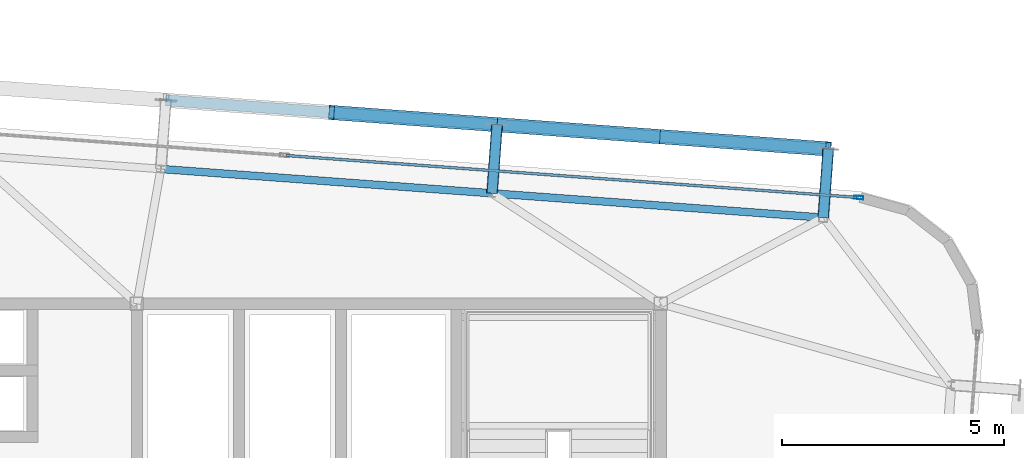
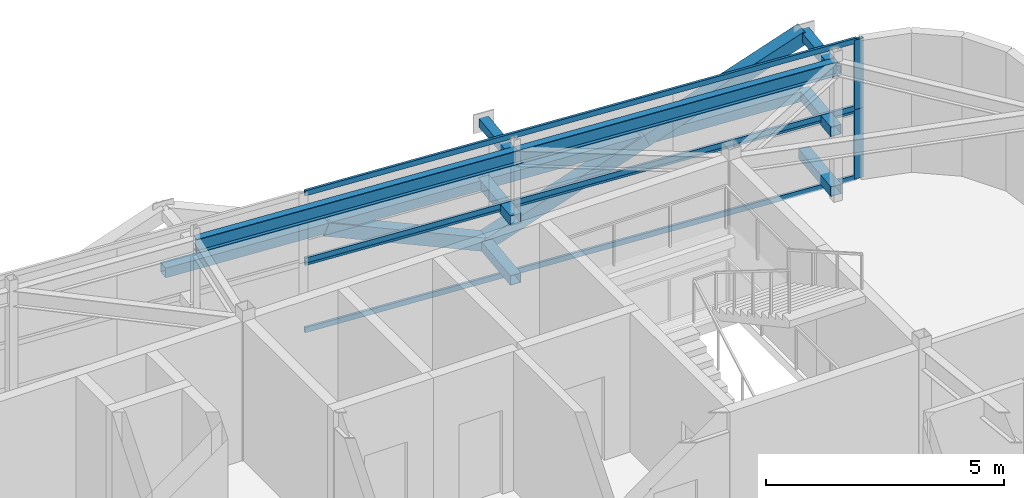
# One storey, part 22 of 35: 17 members, 2 beams, 2 elements without a shape of their own.
"""IFC4 building model written with IfcOpenShell, lengths in metres."""

from ifc_helpers import new_model, si_unit, direction, frame, origin, origin_2d, place, context, subcontext, project, spatial, hollow_rectangle, i_section, extrude, source, transform, mapped, material, layer, layer_set, material_profile, profile_set, type_object, element, aggregate, save


model = new_model("IFC4")

# Units and contexts
model_context = context("Model", 3, precision=1e-05, world=origin(), true_north=direction((0.0, 1.0)))
body_context = subcontext(model_context, "Body", "Model", "MODEL_VIEW")
ifc_project = project(units=[si_unit("LENGTHUNIT", "METRE"), si_unit("AREAUNIT", "SQUARE_METRE"), si_unit("VOLUMEUNIT", "CUBIC_METRE"), si_unit("PLANEANGLEUNIT", "RADIAN"), si_unit("MASSUNIT", "GRAM", prefix="KILO")], contexts=[model_context])

# Site, building, storey
site_placement = place(None, origin())
site = spatial("IfcSite", under=ifc_project, at=site_placement, CompositionType="ELEMENT")
building_placement = place(site_placement, origin())
building = spatial("IfcBuilding", under=site, at=building_placement, Name="Taldren Reach Tower", CompositionType="ELEMENT")
storey_placement = place(building_placement, frame((0.0, 0.0, 249.199951171875)))
storey = spatial("IfcBuildingStorey", under=building, at=storey_placement, Name="L76", CompositionType="ELEMENT", Elevation=249.199951171875)

# Members
ifc_material_1 = material(Name="Steel Gr 350 (C350L0)", Category="steel")
ifc_material_profile_1 = material_profile(ifc_material_1, hollow_rectangle(XDim=0.25, YDim=0.25, WallThickness=0.010009765625, at=origin_2d()), Name="250x250x10.0SHS")
ifc_profile_set_1 = profile_set([ifc_material_profile_1], Name="Steel Gr 350 (C350L0)")
member_type_1 = type_object("IfcMemberType", Name="MB-POST250", PredefinedType="POST", material=ifc_profile_set_1)
shared_shape_1 = source(origin(), body_context, "Body", "SweptSolid", [
    extrude(hollow_rectangle(XDim=0.25, YDim=0.25, WallThickness=0.010009765625, at=origin_2d()), origin(), (0.0, 0.0, 1.0), 1.550048828125),
])
for number, where, z_axis, x_axis, name in (
    (1, (47.199462890625, 34.487548828125, 0.219970703125), (0.07323929162, 0.997314396849, 0.0), (-0.997314396849, 0.07323929162, 0.0), "Exoskeleton base diaphragm tie strut B5-N5 L76"),
    (2, (54.659423828125, 33.939697265625, 0.219970703125), (0.07323929162, 0.997314396849, 0.0), (-0.997314396849, 0.07323929162, 0.0), "Exoskeleton base diaphragm tie strut B5-N6 L76"),
    (3, (47.199462890625, 34.487548828125, 1.755126953125), (0.07323929162, 0.997314396849, 0.0), (-0.997314396849, 0.07323929162, 0.0), "Exoskeleton mid-tier diaphragm tie B5-N5 L76"),
    (4, (54.659423828125, 33.939697265625, 1.755126953125), (0.07323929162, 0.997314396849, 0.0), (-0.997314396849, 0.07323929162, 0.0), "Exoskeleton mid-tier diaphragm tie B5-N6 L76"),
):
    element("IfcMember", number, at=place(storey_placement, frame(where, z_axis=z_axis, x_axis=x_axis)), inside=storey, type_object=member_type_1, Name=name, PredefinedType="POST", context=body_context, shape_type="MappedRepresentation", body=[
        mapped(shared_shape_1, transform((0.0, 0.0, 0.0), scale=1.0)),
    ])
ifc_material_2 = material(Name="Steel Gr 450 (C450L0)", Category="steel")
ifc_material_profile_2 = material_profile(ifc_material_2, hollow_rectangle(XDim=0.219970703125, YDim=0.219970703125, WallThickness=0.00830078125, at=origin_2d()), Name="220x220x8.2SHS")
ifc_profile_set_2 = profile_set([ifc_material_profile_2], Name="Steel Gr 450 (C450L0)")
member_type_2 = type_object("IfcMemberType", Name="MB-TIE219", PredefinedType="STRUT", material=ifc_profile_set_2)
shared_shape_2 = source(origin(), body_context, "Body", "SweptSolid", [
    extrude(hollow_rectangle(XDim=0.219970703125, YDim=0.219970703125, WallThickness=0.00830078125, at=origin_2d()), origin(), (0.0, 0.0, 1.0), 1.550048828125),
])
for number, where, z_axis, x_axis, name in (
    (5, (47.199462890625, 34.487548828125, 3.2900390625), (0.07323929162, 0.997314396849, 0.0), (-0.997314396849, 0.07323929162, 0.0), "Exoskeleton diaphragm tie strut B5-N5 L76"),
    (6, (54.659423828125, 33.939697265625, 3.2900390625), (0.07323929162, 0.997314396849, 0.0), (-0.997314396849, 0.07323929162, 0.0), "Exoskeleton diaphragm tie strut B5-N6 L76"),
):
    element("IfcMember", number, at=place(storey_placement, frame(where, z_axis=z_axis, x_axis=x_axis)), inside=storey, type_object=member_type_2, Name=name, PredefinedType="STRUT", context=body_context, shape_type="MappedRepresentation", body=[
        mapped(shared_shape_2, transform((0.0, 0.0, 0.0), scale=1.0)),
    ])

# Beams
ifc_material_3 = material(Name="Steel Gr 350 (350PLUS)", Category="steel")
ifc_material_profile_3 = material_profile(ifc_material_3, i_section(OverallWidth=0.172119140625, OverallDepth=0.35888671875, WebThickness=0.008056640625, FlangeThickness=0.012939453125, at=origin_2d()), Name="360UB56.7")
ifc_profile_set_3 = profile_set([ifc_material_profile_3], Name="Steel Gr 350 (350PLUS)")
beam_type = type_object("IfcBeamType", Name="SP-UB360", PredefinedType="SPANDREL", material=ifc_profile_set_3)
shared_shape_3 = source(origin(), body_context, "Body", "SweptSolid", [
    extrude(i_section(OverallWidth=0.172119140625, OverallDepth=0.35888671875, WebThickness=0.008056640625, FlangeThickness=0.012939453125, at=origin_2d()), origin(), (0.0, 0.0, 1.0), 7.47998046875),
])
for number, where, z_axis, x_axis, name in (
    (7, (54.659423828125, 33.939697265625, 3.390625), (-0.997314220642, 0.07324169103, 0.0), (-0.07324169103, -0.997314220642, 0.0), "Perimeter spandrel B5 N6-N5 L76"),
    (8, (47.199462890625, 34.487548828125, 3.390625), (-0.997314220642, 0.07324169103, 0.0), (-0.07324169103, -0.997314220642, 0.0), "Perimeter spandrel B5 N5-N4 L76"),
):
    element("IfcBeam", number, at=place(storey_placement, frame(where, z_axis=z_axis, x_axis=x_axis)), inside=storey, type_object=beam_type, Name=name, PredefinedType="SPANDREL", context=body_context, shape_type="MappedRepresentation", body=[
        mapped(shared_shape_3, transform((0.0, 0.0, 0.0), scale=1.0)),
    ])

# Members
shared_shape_4 = source(origin(), body_context, "Body", "SweptSolid", [
    extrude(hollow_rectangle(XDim=0.25, YDim=0.25, WallThickness=0.010009765625, at=origin_2d()), origin(), (0.0, 0.0, 1.0), 7.47998046875),
])
for number, where, z_axis, x_axis, name in (
    (9, (39.85302734375, 36.581298828125, 1.755126953125), (0.997314220642, -0.07324169103, 0.0), (0.07324169103, 0.997314220642, 0.0), "Exoskeleton mid-height ring chord B5-N4 L76"),
    (10, (47.31298828125, 36.033447265625, 1.755126953125), (0.997314220642, -0.07324169103, 0.0), (0.07324169103, 0.997314220642, 0.0), "Exoskeleton mid-height ring chord B5-N5 L76"),
):
    element("IfcMember", number, at=place(storey_placement, frame(where, z_axis=z_axis, x_axis=x_axis)), inside=storey, type_object=member_type_1, Name=name, PredefinedType="POST", context=body_context, shape_type="MappedRepresentation", body=[
        mapped(shared_shape_4, transform((0.0, 0.0, 0.0), scale=1.0)),
    ])
ifc_material_profile_4 = material_profile(ifc_material_2, hollow_rectangle(XDim=0.324951171875, YDim=0.324951171875, WallThickness=0.0126953125, at=origin_2d()), Name="325x325x12.7SHS")
ifc_profile_set_4 = profile_set([ifc_material_profile_4], Name="Steel Gr 450 (C450L0)")
member_type_3 = type_object("IfcMemberType", Name="MB-BR324", PredefinedType="BRACE", material=ifc_profile_set_4)
shared_shape_5 = source(origin(), body_context, "Body", "SweptSolid", [
    extrude(hollow_rectangle(XDim=0.324951171875, YDim=0.324951171875, WallThickness=0.0126953125, at=origin_2d()), origin(), (0.0, 0.0, 1.0), 4.042724609375),
])
for number, where, z_axis, x_axis, name in (
    (11, (47.31298828125, 36.033447265625, 0.219970703125), (-0.922615641565, 0.067755907176, 0.37972294503), (-0.07324169103, -0.997314220642, 0.0), "Exoskeleton Diagrid Brace B5-N4 L76"),
    (12, (47.31298828125, 36.033447265625, 0.219970703125), (0.922615641565, -0.067755907176, 0.37972294503), (0.07324169103, 0.997314220642, 0.0), "Exoskeleton Diagrid Brace B5-N5 L76"),
    (13, (51.04296875, 35.759521484375, 1.755126953125), (0.92263679702, -0.06775746081, 0.379671262133), (0.07324169103, 0.997314220642, 0.0), "Exoskeleton Diagrid Brace B5-N5 L76"),
):
    element("IfcMember", number, at=place(storey_placement, frame(where, z_axis=z_axis, x_axis=x_axis)), inside=storey, type_object=member_type_3, Name=name, PredefinedType="BRACE", context=body_context, shape_type="MappedRepresentation", body=[
        mapped(shared_shape_5, transform((0.0, 0.0, 0.0), scale=1.0)),
    ])

# Curtain wall, members
ifc_material_4 = material(Name="Aluminium and Low-E Glass Unitised System", Category="aluminium")
ifc_layer = layer(ifc_material_4, 0.159912109375)
ifc_layer_set = layer_set([ifc_layer], Name="Aluminium and Low-E Glass Unitised System")
curtain_wall_type = type_object("IfcCurtainWallType", Name="CW-SYS-6", PredefinedType="NOTDEFINED", material=ifc_layer_set)
curtain_wall_1_placement = place(storey_placement, origin())
curtain_wall_1 = element("IfcCurtainWall", 14, at=curtain_wall_1_placement, inside=storey, type_object=curtain_wall_type, Name="Unitised curtain wall CW-L76-N", PredefinedType="NOTDEFINED")
ifc_material_5 = material(Name="Anodised Aluminium 6063-T6", Category="aluminium")
ifc_material_profile_5 = material_profile(ifc_material_5, hollow_rectangle(XDim=0.06005859375, YDim=0.135009765625, WallThickness=0.00341796875, at=origin_2d()), Name="ALU-135x60x3.5RHS")
ifc_profile_set_5 = profile_set([ifc_material_profile_5], Name="Anodised Aluminium 6063-T6")
member_type_4 = type_object("IfcMemberType", Name="CW-TRN-150", PredefinedType="USERDEFINED", material=ifc_profile_set_5)
shared_shape_6 = source(origin(), body_context, "Body", "SweptSolid", [
    extrude(hollow_rectangle(XDim=0.06005859375, YDim=0.135009765625, WallThickness=0.00341796875, at=origin_2d()), origin(), (0.0, 0.0, 1.0), 12.887451171875),
])
member_1_placement = place(storey_placement, frame((55.419677734375, 34.395263671875, 0.030029296875), z_axis=(-0.997314487101, 0.07323806263, 0.0), x_axis=(-0.07323806263, -0.997314487101, 0.0)))
member_1 = element("IfcMember", 15, at=member_1_placement, type_object=member_type_4, Name="CW-6 transom 1.1", ObjectType="TRANSOM", PredefinedType="USERDEFINED", context=body_context, shape_type="MappedRepresentation", body=[
    mapped(shared_shape_6, transform((0.0, 0.0, 0.0), scale=1.0)),
])
member_2_placement = place(storey_placement, frame((55.419677734375, 34.395263671875, 1.755126953125), z_axis=(-0.997314487101, 0.07323806263, 0.0), x_axis=(-0.07323806263, -0.997314487101, 0.0)))
member_2 = element("IfcMember", 16, at=member_2_placement, type_object=member_type_4, Name="CW-6 transom 1.2", ObjectType="TRANSOM", PredefinedType="USERDEFINED", context=body_context, shape_type="MappedRepresentation", body=[
    mapped(shared_shape_6, transform((0.0, 0.0, 0.0), scale=1.0)),
])

curtain_wall_2_placement = place(storey_placement, origin())
curtain_wall_2 = element("IfcCurtainWall", 17, at=curtain_wall_2_placement, inside=storey, type_object=curtain_wall_type, Name="Unitised curtain wall CW-L76-N-T2", PredefinedType="NOTDEFINED")
member_3_placement = place(storey_placement, frame((55.419677734375, 34.395263671875, 1.81494140625), z_axis=(-0.997314487101, 0.07323806263, 0.0), x_axis=(-0.07323806263, -0.997314487101, 0.0)))
member_3 = element("IfcMember", 18, at=member_3_placement, type_object=member_type_4, Name="CW-6 transom 1.1", ObjectType="TRANSOM", PredefinedType="USERDEFINED", context=body_context, shape_type="MappedRepresentation", body=[
    mapped(shared_shape_6, transform((0.0, 0.0, 0.0), scale=1.0)),
])
member_4_placement = place(storey_placement, frame((55.419677734375, 34.395263671875, 3.5400390625), z_axis=(-0.997314487101, 0.07323806263, 0.0), x_axis=(-0.07323806263, -0.997314487101, 0.0)))
member_4 = element("IfcMember", 19, at=member_4_placement, type_object=member_type_4, Name="CW-6 transom 1.2", ObjectType="TRANSOM", PredefinedType="USERDEFINED", context=body_context, shape_type="MappedRepresentation", body=[
    mapped(shared_shape_6, transform((0.0, 0.0, 0.0), scale=1.0)),
])

# Member
ifc_material_profile_6 = material_profile(ifc_material_5, hollow_rectangle(XDim=0.074951171875, YDim=0.2099609375, WallThickness=0.00439453125, at=origin_2d()), Name="ALU-210x75x4.5RHS")
ifc_profile_set_6 = profile_set([ifc_material_profile_6], Name="Anodised Aluminium 6063-T6")
member_type_5 = type_object("IfcMemberType", Name="CW-MUL-200", PredefinedType="MULLION", material=ifc_profile_set_6)
shared_shape_7 = source(origin(), body_context, "Body", "SweptSolid", [
    extrude(hollow_rectangle(XDim=0.074951171875, YDim=0.2099609375, WallThickness=0.00439453125, at=origin_2d()), origin(), (0.0, 0.0, 1.0), 1.78515625),
])
member_5_placement = place(storey_placement, frame((55.45703125, 34.392578125, 0.0), z_axis=(0.0, 0.0, 1.0), x_axis=(-0.073238213716, -0.997314476006, 0.0)))
member_5 = element("IfcMember", 20, at=member_5_placement, type_object=member_type_5, Name="CW-6 mullion 1", PredefinedType="MULLION", context=body_context, shape_type="MappedRepresentation", body=[
    mapped(shared_shape_7, transform((0.0, 0.0, 0.0), scale=1.0)),
])

aggregate(curtain_wall_1, [member_5, member_1, member_2])

shared_shape_8 = source(origin(), body_context, "Body", "SweptSolid", [
    extrude(hollow_rectangle(XDim=0.074951171875, YDim=0.2099609375, WallThickness=0.00439453125, at=origin_2d()), origin(), (0.0, 0.0, 1.0), 1.784912109375),
])
member_6_placement = place(storey_placement, frame((55.45703125, 34.392578125, 1.78515625), z_axis=(0.0, 0.0, 1.0), x_axis=(-0.073238213716, -0.997314476006, 0.0)))
member_6 = element("IfcMember", 21, at=member_6_placement, type_object=member_type_5, Name="CW-6 mullion 1", PredefinedType="MULLION", context=body_context, shape_type="MappedRepresentation", body=[
    mapped(shared_shape_8, transform((0.0, 0.0, 0.0), scale=1.0)),
])

aggregate(curtain_wall_2, [member_6, member_3, member_4])

save(model, "model.ifc")
